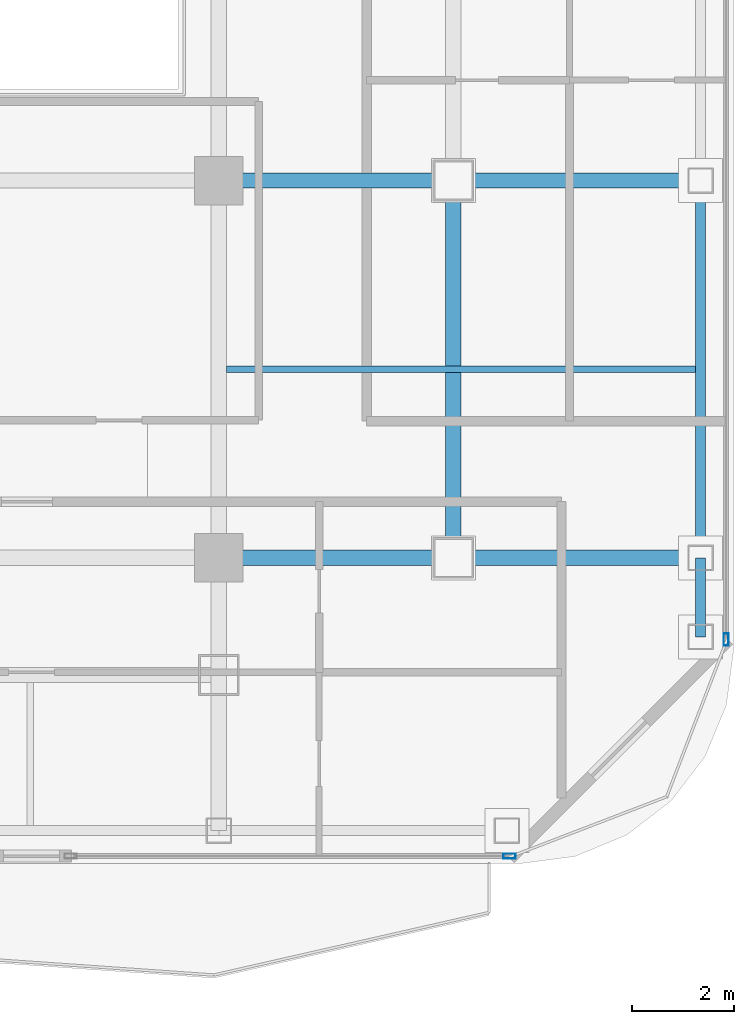
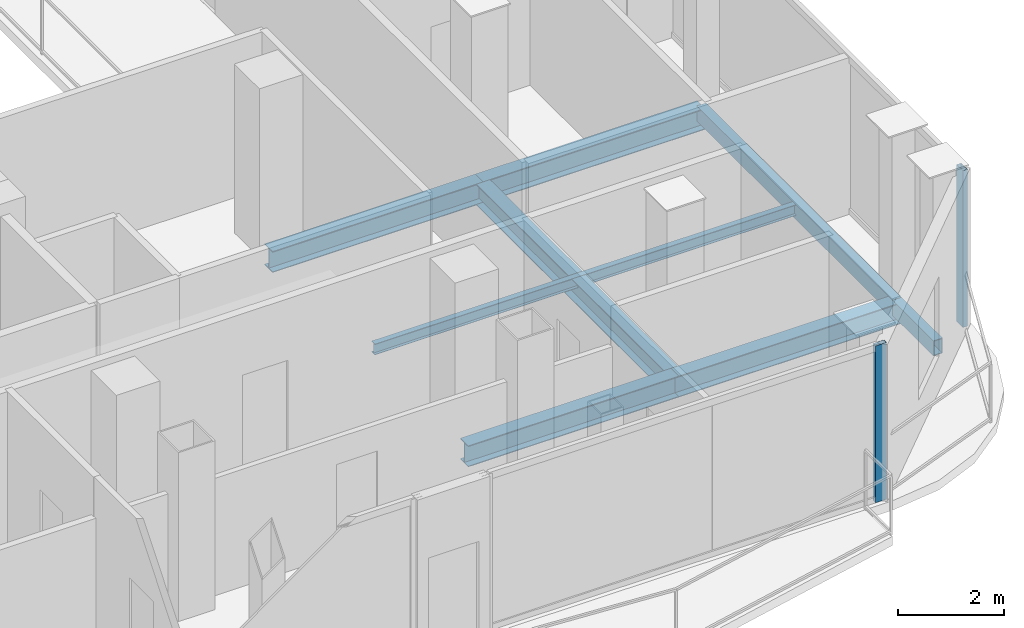
# One storey, part 7 of 22: 8 beams, 2 members, 2 elements without a shape of their own.
"""IFC4 building model written with IfcOpenShell, lengths in metres."""

from ifc_helpers import new_model, si_unit, direction, frame, origin, origin_2d, place, context, subcontext, project, spatial, hollow_rectangle, i_section, extrude, material, layer, layer_set, material_profile, profile_set, type_object, element, aggregate, save


model = new_model("IFC4")

# Units and contexts
model_context = context("Model", 3, precision=1e-05, world=origin(), true_north=direction((0.0, 1.0)))
body_context = subcontext(model_context, "Body", "Model", "MODEL_VIEW")
ifc_project = project(units=[si_unit("LENGTHUNIT", "METRE"), si_unit("AREAUNIT", "SQUARE_METRE"), si_unit("VOLUMEUNIT", "CUBIC_METRE"), si_unit("PLANEANGLEUNIT", "RADIAN"), si_unit("MASSUNIT", "GRAM", prefix="KILO")], contexts=[model_context])

# Site, building, storey
site_placement = place(None, origin())
site = spatial("IfcSite", under=ifc_project, at=site_placement, CompositionType="ELEMENT")
building_placement = place(site_placement, origin())
building = spatial("IfcBuilding", under=site, at=building_placement, Name="Khorvyn Point Tower", CompositionType="ELEMENT")
storey_placement = place(building_placement, frame((0.0, 0.0, 282.0)))
storey = spatial("IfcBuildingStorey", under=building, at=storey_placement, Name="L69", CompositionType="ELEMENT", Elevation=282.0)

# Curtain wall, member
ifc_material_1 = material(Name="Anodised aluminium 6063-T6 and laminated Low-E glass", Category="aluminium")
ifc_layer = layer(ifc_material_1, 0.18994140625)
ifc_layer_set = layer_set([ifc_layer], Name="Stick-Built High-Wind Curtain Wall CW-SYS-04")
curtain_wall_type = type_object("IfcCurtainWallType", Name="Stick-Built High-Wind Curtain Wall CW-SYS-04", PredefinedType="NOTDEFINED", material=ifc_layer_set)
curtain_wall_1_placement = place(storey_placement, origin())
curtain_wall_1 = element("IfcCurtainWall", 1, at=curtain_wall_1_placement, inside=storey, type_object=curtain_wall_type, Name="Curtain Wall", PredefinedType="NOTDEFINED")
ifc_material_2 = material(Name="Anodised aluminium 6063-T6", Category="aluminium")
ifc_material_profile_1 = material_profile(ifc_material_2, hollow_rectangle(XDim=0.10009765625, YDim=0.239990234375, WallThickness=0.0048828125, at=origin_2d()))
ifc_profile_set_1 = profile_set([ifc_material_profile_1], Name="Anodised aluminium 6063-T6 ALU-MUL-100x240")
member_type = type_object("IfcMemberType", Name="Anodised Aluminium 6063-T6 Mullion ALU-MUL-100x240", PredefinedType="MULLION", material=ifc_profile_set_1)
member_1_placement = place(storey_placement, frame((20.5, -20.64990234375, 0.0), z_axis=(0.0, 0.0, 1.0), x_axis=(0.0, -1.0, 0.0)))
member_1 = element("IfcMember", 2, at=member_1_placement, type_object=member_type, Name="Transom", PredefinedType="MULLION", context=body_context, shape_type="SweptSolid", body=[
    extrude(hollow_rectangle(XDim=0.10009765625, YDim=0.239990234375, WallThickness=0.0048828125, at=origin_2d()), origin(), (0.0, 0.0, 1.0), 3.6201171875),
])
aggregate(curtain_wall_1, [member_1])

curtain_wall_2_placement = place(storey_placement, origin())
curtain_wall_2 = element("IfcCurtainWall", 3, at=curtain_wall_2_placement, inside=storey, type_object=curtain_wall_type, Name="Curtain Wall", PredefinedType="NOTDEFINED")
member_2_placement = place(storey_placement, frame((24.75, -16.39990234375, 0.0), z_axis=(0.0, 0.0, 1.0), x_axis=(1.0, 0.0, 0.0)))
member_2 = element("IfcMember", 4, at=member_2_placement, type_object=member_type, Name="Transom", PredefinedType="MULLION", context=body_context, shape_type="SweptSolid", body=[
    extrude(hollow_rectangle(XDim=0.10009765625, YDim=0.239990234375, WallThickness=0.0048828125, at=origin_2d()), origin(), (0.0, 0.0, 1.0), 3.6201171875),
])
aggregate(curtain_wall_2, [member_2])

# Beams
ifc_material_3 = material(Name="Steel S355", Category="steel")
ifc_material_profile_2 = material_profile(ifc_material_3, i_section(OverallWidth=0.125, OverallDepth=0.25, WebThickness=0.006103515625, FlangeThickness=0.009033203125, at=origin_2d()))
ifc_profile_set_2 = profile_set([ifc_material_profile_2], Name="Steel S355 H250x125x6x9")
beam_type_1 = type_object("IfcBeamType", Name="Steel S355 Joist H250x125x6x9", PredefinedType="JOIST", material=ifc_profile_set_2)
beam_1_placement = place(storey_placement, frame((14.949951171875, -11.10009765625, -0.344970703125), z_axis=(1.0, 0.0, 0.0), x_axis=(0.0, 1.0, 0.0)))
element("IfcBeam", 5, at=beam_1_placement, inside=storey, type_object=beam_type_1, Name="Beam", PredefinedType="JOIST", context=body_context, shape_type="SweptSolid", body=[
    extrude(i_section(OverallWidth=0.125, OverallDepth=0.25, WebThickness=0.006103515625, FlangeThickness=0.009033203125, at=origin_2d()), origin(), (0.0, 0.0, 1.0), 9.199951171875),
])
ifc_material_profile_3 = material_profile(ifc_material_3, i_section(OverallWidth=0.300048828125, OverallDepth=0.488037109375, WebThickness=0.010986328125, FlangeThickness=0.01806640625, at=origin_2d()))
ifc_profile_set_3 = profile_set([ifc_material_profile_3], Name="Steel S355 H488x300x11x18")
beam_type_2 = type_object("IfcBeamType", Name="Steel S355 Spandrel H488x300x11x18", PredefinedType="SPANDREL", material=ifc_profile_set_3)
beam_2_placement = place(storey_placement, frame((14.800048828125, -14.800048828125, -0.464111328125), z_axis=(1.0, 0.0, 0.0), x_axis=(0.0, 1.0, 0.0)))
element("IfcBeam", 6, at=beam_2_placement, inside=storey, type_object=beam_type_2, Name="Beam", PredefinedType="SPANDREL", context=body_context, shape_type="SweptSolid", body=[
    extrude(i_section(OverallWidth=0.300048828125, OverallDepth=0.488037109375, WebThickness=0.010986328125, FlangeThickness=0.01806640625, at=origin_2d()), origin(), (0.0, 0.0, 1.0), 4.599853515625),
])
beam_3_placement = place(storey_placement, frame((19.39990234375, -14.800048828125, -0.464111328125), z_axis=(1.0, 0.0, 0.0), x_axis=(0.0, 1.0, 0.0)))
element("IfcBeam", 7, at=beam_3_placement, inside=storey, type_object=beam_type_2, Name="Beam", PredefinedType="SPANDREL", context=body_context, shape_type="SweptSolid", body=[
    extrude(i_section(OverallWidth=0.300048828125, OverallDepth=0.488037109375, WebThickness=0.010986328125, FlangeThickness=0.01806640625, at=origin_2d()), origin(), (0.0, 0.0, 1.0), 4.85009765625),
])
beam_4_placement = place(storey_placement, frame((14.800048828125, -7.39990234375, -0.464111328125), z_axis=(1.0, 0.0, 0.0), x_axis=(0.0, 1.0, 0.0)))
element("IfcBeam", 8, at=beam_4_placement, inside=storey, type_object=beam_type_2, Name="Beam", PredefinedType="SPANDREL", context=body_context, shape_type="SweptSolid", body=[
    extrude(i_section(OverallWidth=0.300048828125, OverallDepth=0.488037109375, WebThickness=0.010986328125, FlangeThickness=0.01806640625, at=origin_2d()), origin(), (0.0, 0.0, 1.0), 4.599853515625),
])
beam_5_placement = place(storey_placement, frame((19.39990234375, -7.39990234375, -0.464111328125), z_axis=(1.0, 0.0, 0.0), x_axis=(0.0, 1.0, 0.0)))
element("IfcBeam", 9, at=beam_5_placement, inside=storey, type_object=beam_type_2, Name="Beam", PredefinedType="SPANDREL", context=body_context, shape_type="SweptSolid", body=[
    extrude(i_section(OverallWidth=0.300048828125, OverallDepth=0.488037109375, WebThickness=0.010986328125, FlangeThickness=0.01806640625, at=origin_2d()), origin(), (0.0, 0.0, 1.0), 4.85009765625),
])
beam_6_placement = place(storey_placement, frame((19.39990234375, -14.800048828125, -0.464111328125), z_axis=(0.0, 1.0, 0.0), x_axis=(-1.0, 0.0, 0.0)))
element("IfcBeam", 10, at=beam_6_placement, inside=storey, type_object=beam_type_2, Name="Beam", PredefinedType="SPANDREL", context=body_context, shape_type="SweptSolid", body=[
    extrude(i_section(OverallWidth=0.300048828125, OverallDepth=0.488037109375, WebThickness=0.010986328125, FlangeThickness=0.01806640625, at=origin_2d()), origin(), (0.0, 0.0, 1.0), 7.400146484375),
])
ifc_material_profile_4 = material_profile(ifc_material_3, hollow_rectangle(XDim=0.199951171875, YDim=0.35009765625, WallThickness=0.013916015625, at=origin_2d()))
ifc_profile_set_4 = profile_set([ifc_material_profile_4], Name="Steel S355 RHS350x200x14")
beam_type_3 = type_object("IfcBeamType", Name="Steel S355 Spandrel RHS350x200x14", PredefinedType="SPANDREL", material=ifc_profile_set_4)
beam_7_placement = place(storey_placement, frame((24.25, -16.35009765625, -0.39501953125), z_axis=(0.0, 1.0, 0.0), x_axis=(-1.0, 0.0, 0.0)))
element("IfcBeam", 11, at=beam_7_placement, inside=storey, type_object=beam_type_3, Name="Beam", PredefinedType="SPANDREL", context=body_context, shape_type="SweptSolid", body=[
    extrude(hollow_rectangle(XDim=0.199951171875, YDim=0.35009765625, WallThickness=0.013916015625, at=origin_2d()), origin(), (0.0, 0.0, 1.0), 1.550048828125),
])
beam_8_placement = place(storey_placement, frame((24.25, -14.800048828125, -0.39501953125), z_axis=(0.0, 1.0, 0.0), x_axis=(-1.0, 0.0, 0.0)))
element("IfcBeam", 12, at=beam_8_placement, inside=storey, type_object=beam_type_3, Name="Beam", PredefinedType="SPANDREL", context=body_context, shape_type="SweptSolid", body=[
    extrude(hollow_rectangle(XDim=0.199951171875, YDim=0.35009765625, WallThickness=0.013916015625, at=origin_2d()), origin(), (0.0, 0.0, 1.0), 7.400146484375),
])

save(model, "model.ifc")
